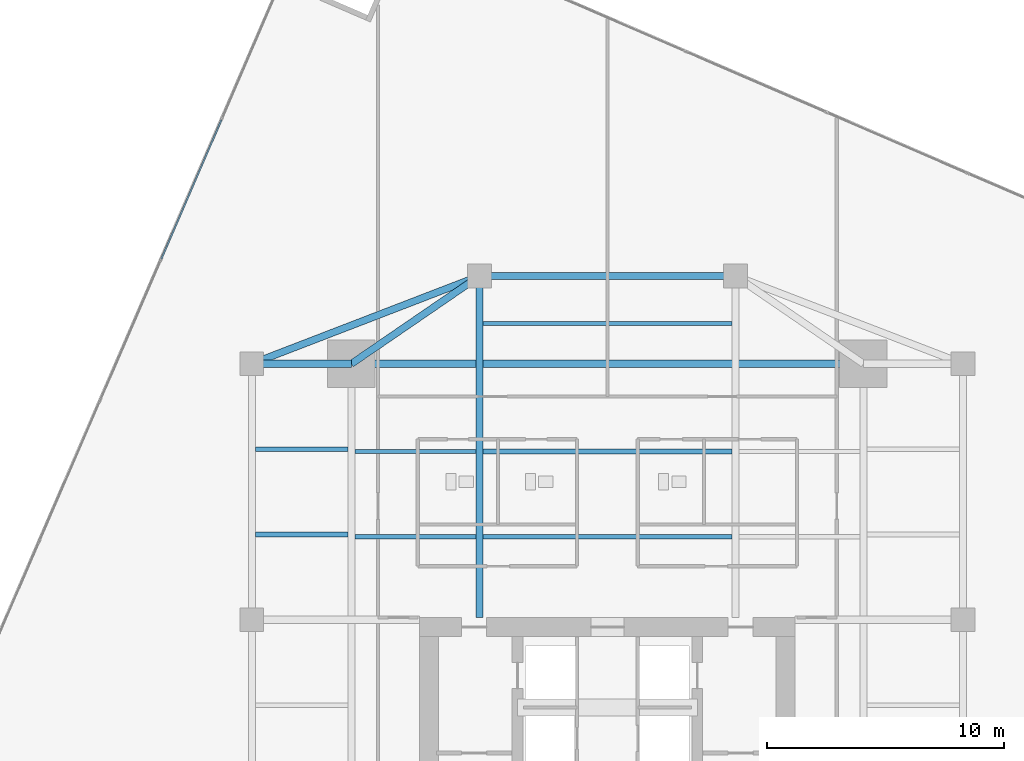
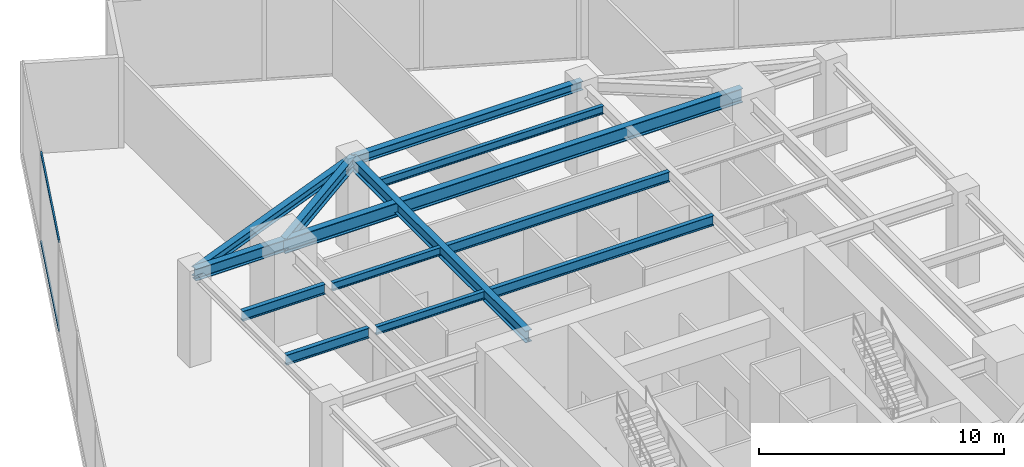
# One storey, part 13 of 24: 13 beams, 2 members, 1 element without a shape of its own.
"""IFC4 building model written with IfcOpenShell, lengths in metres."""

from ifc_helpers import new_model, si_unit, direction, frame, origin, origin_2d, place, context, subcontext, project, spatial, hollow_rectangle, i_section, extrude, source, transform, mapped, material, material_profile, profile_set, type_object, type_shapes, element, aggregate, save


model = new_model("IFC4")

# Units and contexts
model_context = context("Model", 3, precision=1e-05, world=origin(), true_north=direction((0.0, 1.0)))
body_context = subcontext(model_context, "Body", "Model", "MODEL_VIEW")
ifc_project = project(units=[si_unit("LENGTHUNIT", "METRE"), si_unit("AREAUNIT", "SQUARE_METRE"), si_unit("VOLUMEUNIT", "CUBIC_METRE"), si_unit("PLANEANGLEUNIT", "RADIAN"), si_unit("MASSUNIT", "GRAM", prefix="KILO")], contexts=[model_context])

# Site, building, storey
site_placement = place(None, origin())
site = spatial("IfcSite", under=ifc_project, at=site_placement, CompositionType="ELEMENT")
building_placement = place(site_placement, origin())
building = spatial("IfcBuilding", under=site, at=building_placement, Name="Krantzveldt Concourse Tower", CompositionType="ELEMENT")
storey_placement = place(building_placement, frame((0.0, 0.0, 141.39990234375)))
storey = spatial("IfcBuildingStorey", under=building, at=storey_placement, Name="L34", CompositionType="ELEMENT", Elevation=141.39990234375)

# Beams
ifc_material_1 = material(Name="Steel S355J2", Category="steel")
ifc_material_profile_1 = material_profile(ifc_material_1, i_section(OverallWidth=0.300048828125, OverallDepth=0.699951171875, WebThickness=0.01708984375, FlangeThickness=0.031982421875, FilletRadius=0.027099609375, at=origin_2d()), Name="Steel S355J2", Category="steel")
ifc_profile_set_1 = profile_set([ifc_material_profile_1], Name="Steel S355J2 - HEB 700")
beam_type_1 = type_object("IfcBeamType", Name="BM-B-HEB700", PredefinedType="BEAM", material=ifc_profile_set_1)
shared_shape_1 = source(origin(), body_context, "Body", "SweptSolid", [
    extrude(i_section(OverallWidth=0.300048828125, OverallDepth=0.699951171875, WebThickness=0.01708984375, FlangeThickness=0.031982421875, FilletRadius=0.027099609375, at=origin_2d()), origin(), (0.0, 0.0, 1.0), 21.60009765625),
])
type_shapes(beam_type_1, [shared_shape_1])
beam_1_placement = place(storey_placement, frame((25.199951171875, 37.5, 4.170166015625), z_axis=(1.0, 0.0, 0.0), x_axis=(0.0, 1.0, 0.0)))
element("IfcBeam", 1, at=beam_1_placement, inside=storey, type_object=beam_type_1, Name="L34 Tower Girder BG-MN", PredefinedType="BEAM", context=body_context, shape_type="MappedRepresentation", body=[
    mapped(shared_shape_1, transform((0.0, 0.0, 0.0), x_axis=(1.0, 0.0, 0.0), y_axis=(0.0, 1.0, 0.0), z_axis=(0.0, 0.0, 1.0), scale=1.0)),
])
ifc_material_2 = material(Name="Steel S355JR", Category="steel")
ifc_material_profile_2 = material_profile(ifc_material_2, i_section(OverallWidth=0.300048828125, OverallDepth=0.590087890625, WebThickness=0.012939453125, FlangeThickness=0.02490234375, FilletRadius=0.027099609375, at=origin_2d()), Name="Steel S355JR", Category="steel")
ifc_profile_set_2 = profile_set([ifc_material_profile_2], Name="Steel S355JR - HEA 600")
beam_type_2 = type_object("IfcBeamType", Name="BM-B-HEA600", PredefinedType="BEAM", material=ifc_profile_set_2)
shared_shape_2 = source(origin(), body_context, "Body", "SweptSolid", [
    extrude(i_section(OverallWidth=0.300048828125, OverallDepth=0.590087890625, WebThickness=0.012939453125, FlangeThickness=0.02490234375, FilletRadius=0.027099609375, at=origin_2d()), origin(), (0.0, 0.0, 1.0), 14.39990234375),
])
beam_2_placement = place(storey_placement, frame((30.60009765625, 26.800048828125, 4.22509765625), z_axis=(0.0, 1.0, 0.0), x_axis=(-1.0, 0.0, 0.0)))
element("IfcBeam", 2, at=beam_2_placement, inside=storey, type_object=beam_type_2, Name="L34 Tower Girder BG-CNW", PredefinedType="BEAM", context=body_context, shape_type="MappedRepresentation", body=[
    mapped(shared_shape_2, transform((0.0, 0.0, 0.0), x_axis=(1.0, 0.0, 0.0), y_axis=(0.0, 1.0, 0.0), z_axis=(0.0, 0.0, 1.0), scale=1.0)),
])
ifc_material_profile_3 = material_profile(ifc_material_2, i_section(OverallWidth=0.300048828125, OverallDepth=0.43994140625, WebThickness=0.011474609375, FlangeThickness=0.02099609375, FilletRadius=0.027099609375, at=origin_2d()), Name="Steel S355JR", Category="steel")
ifc_profile_set_3 = profile_set([ifc_material_profile_3], Name="Steel S355JR - HEA 450")
beam_type_3 = type_object("IfcBeamType", Name="BM-SP-HEA450", PredefinedType="SPANDREL", material=ifc_profile_set_3)
shared_shape_3 = source(origin(), body_context, "Body", "SweptSolid", [
    extrude(i_section(OverallWidth=0.300048828125, OverallDepth=0.43994140625, WebThickness=0.011474609375, FlangeThickness=0.02099609375, FilletRadius=0.027099609375, at=origin_2d()), origin(), (0.0, 0.0, 1.0), 10.288330078125),
])
beam_3_placement = place(storey_placement, frame((21.0, 37.5, 4.300048828125), z_axis=(0.933097690408, 0.359622997257, 0.0), x_axis=(-0.359622997257, 0.933097690408, 0.0)))
element("IfcBeam", 3, at=beam_3_placement, inside=storey, type_object=beam_type_3, Name="L34 Tower Girder SP-R03", PredefinedType="SPANDREL", context=body_context, shape_type="MappedRepresentation", body=[
    mapped(shared_shape_3, transform((0.0, 0.0, 0.0), x_axis=(1.0, 0.0, 0.0), y_axis=(0.0, 1.0, 0.0), z_axis=(0.0, 0.0, 1.0), scale=1.0)),
])
shared_shape_4 = source(origin(), body_context, "Body", "SweptSolid", [
    extrude(i_section(OverallWidth=0.300048828125, OverallDepth=0.43994140625, WebThickness=0.011474609375, FlangeThickness=0.02099609375, FilletRadius=0.027099609375, at=origin_2d()), origin(), (0.0, 0.0, 1.0), 10.7998046875),
])
type_shapes(beam_type_3, [shared_shape_3, shared_shape_4])
beam_4_placement = place(storey_placement, frame((30.60009765625, 41.199951171875, 4.300048828125), z_axis=(1.0, 0.0, 0.0), x_axis=(0.0, 1.0, 0.0)))
element("IfcBeam", 4, at=beam_4_placement, inside=storey, type_object=beam_type_3, Name="L34 Tower Girder SP-R04", PredefinedType="SPANDREL", context=body_context, shape_type="MappedRepresentation", body=[
    mapped(shared_shape_4, transform((0.0, 0.0, 0.0), x_axis=(1.0, 0.0, 0.0), y_axis=(0.0, 1.0, 0.0), z_axis=(0.0, 0.0, 1.0), scale=1.0)),
])
shared_shape_5 = source(origin(), body_context, "Body", "SweptSolid", [
    extrude(i_section(OverallWidth=0.300048828125, OverallDepth=0.590087890625, WebThickness=0.012939453125, FlangeThickness=0.02490234375, FilletRadius=0.027099609375, at=origin_2d()), origin(), (0.0, 0.0, 1.0), 4.199951171875),
])
beam_5_placement = place(storey_placement, frame((21.0, 37.5, 4.22509765625), z_axis=(1.0, 0.0, 0.0), x_axis=(0.0, 1.0, 0.0)))
element("IfcBeam", 5, at=beam_5_placement, inside=storey, type_object=beam_type_2, Name="L34 Tower Girder BR-RL3", PredefinedType="BEAM", context=body_context, shape_type="MappedRepresentation", body=[
    mapped(shared_shape_5, transform((0.0, 0.0, 0.0), x_axis=(1.0, 0.0, 0.0), y_axis=(0.0, 1.0, 0.0), z_axis=(0.0, 0.0, 1.0), scale=1.0)),
])
shared_shape_6 = source(origin(), body_context, "Body", "SweptSolid", [
    extrude(i_section(OverallWidth=0.300048828125, OverallDepth=0.590087890625, WebThickness=0.012939453125, FlangeThickness=0.02490234375, FilletRadius=0.027099609375, at=origin_2d()), origin(), (0.0, 0.0, 1.0), 6.546142578125),
])
type_shapes(beam_type_2, [shared_shape_2, shared_shape_5, shared_shape_6])
beam_6_placement = place(storey_placement, frame((25.199951171875, 37.5, 4.22509765625), z_axis=(0.824942999484, 0.565215930068, 0.0), x_axis=(-0.565215930068, 0.824942999484, 0.0)))
element("IfcBeam", 6, at=beam_6_placement, inside=storey, type_object=beam_type_2, Name="L34 Tower Girder BR-RL4", PredefinedType="BEAM", context=body_context, shape_type="MappedRepresentation", body=[
    mapped(shared_shape_6, transform((0.0, 0.0, 0.0), x_axis=(1.0, 0.0, 0.0), y_axis=(0.0, 1.0, 0.0), z_axis=(0.0, 0.0, 1.0), scale=1.0)),
])
ifc_material_profile_4 = material_profile(ifc_material_2, i_section(OverallWidth=0.199951171875, OverallDepth=0.5, WebThickness=0.01025390625, FlangeThickness=0.01611328125, FilletRadius=0.02099609375, at=origin_2d()), Name="Steel S355JR", Category="steel")
ifc_profile_set_4 = profile_set([ifc_material_profile_4], Name="Steel S355JR - IPE 500")
beam_type_4 = type_object("IfcBeamType", Name="BM-J-IPE500", PredefinedType="JOIST", material=ifc_profile_set_4)
shared_shape_7 = source(origin(), body_context, "Body", "SweptSolid", [
    extrude(i_section(OverallWidth=0.199951171875, OverallDepth=0.5, WebThickness=0.01025390625, FlangeThickness=0.01611328125, FilletRadius=0.02099609375, at=origin_2d()), origin(), (0.0, 0.0, 1.0), 10.5),
])
for number, where, z_axis, x_axis, name in (
    (7, (30.75, 30.199951171875, 4.27001953125), (1.0, 0.0, 0.0), (0.0, 1.0, 0.0), "L34 Secondary Floor Joist JN-C1"),
    (8, (30.75, 33.800048828125, 4.27001953125), (1.0, 0.0, 0.0), (0.0, 1.0, 0.0), "L34 Secondary Floor Joist JN-C2"),
):
    element("IfcBeam", number, at=place(storey_placement, frame(where, z_axis=z_axis, x_axis=x_axis)), inside=storey, type_object=beam_type_4, Name=name, PredefinedType="JOIST", context=body_context, shape_type="MappedRepresentation", body=[
        mapped(shared_shape_7, transform((0.0, 0.0, 0.0), x_axis=(1.0, 0.0, 0.0), y_axis=(0.0, 1.0, 0.0), z_axis=(0.0, 0.0, 1.0), scale=1.0)),
    ])
ifc_material_profile_5 = material_profile(ifc_material_2, i_section(OverallWidth=0.179931640625, OverallDepth=0.39990234375, WebThickness=0.008544921875, FlangeThickness=0.013427734375, FilletRadius=0.02099609375, at=origin_2d()), Name="Steel S355JR", Category="steel")
ifc_profile_set_5 = profile_set([ifc_material_profile_5], Name="Steel S355JR - IPE 400")
beam_type_5 = type_object("IfcBeamType", Name="BM-J-IPE400", PredefinedType="JOIST", material=ifc_profile_set_5)
shared_shape_8 = source(origin(), body_context, "Body", "SweptSolid", [
    extrude(i_section(OverallWidth=0.179931640625, OverallDepth=0.39990234375, WebThickness=0.008544921875, FlangeThickness=0.013427734375, FilletRadius=0.02099609375, at=origin_2d()), origin(), (0.0, 0.0, 1.0), 10.5),
])
beam_7_placement = place(storey_placement, frame((30.75, 39.199951171875, 4.320068359375), z_axis=(1.0, 0.0, 0.0), x_axis=(0.0, 1.0, 0.0)))
element("IfcBeam", 9, at=beam_7_placement, inside=storey, type_object=beam_type_5, Name="L34 Secondary Floor Joist JN-C3", PredefinedType="JOIST", context=body_context, shape_type="MappedRepresentation", body=[
    mapped(shared_shape_8, transform((0.0, 0.0, 0.0), x_axis=(1.0, 0.0, 0.0), y_axis=(0.0, 1.0, 0.0), z_axis=(0.0, 0.0, 1.0), scale=1.0)),
])
shared_shape_9 = source(origin(), body_context, "Body", "SweptSolid", [
    extrude(i_section(OverallWidth=0.179931640625, OverallDepth=0.39990234375, WebThickness=0.008544921875, FlangeThickness=0.013427734375, FilletRadius=0.02099609375, at=origin_2d()), origin(), (0.0, 0.0, 1.0), 5.099853515625),
])
type_shapes(beam_type_5, [shared_shape_8, shared_shape_9])
for number, where, z_axis, x_axis, name in (
    (10, (25.35009765625, 30.199951171875, 4.320068359375), (1.0, 0.0, 0.0), (0.0, 1.0, 0.0), "L34 Secondary Floor Joist JN-W1"),
    (11, (25.35009765625, 33.800048828125, 4.320068359375), (1.0, 0.0, 0.0), (0.0, 1.0, 0.0), "L34 Secondary Floor Joist JN-W2"),
):
    element("IfcBeam", number, at=place(storey_placement, frame(where, z_axis=z_axis, x_axis=x_axis)), inside=storey, type_object=beam_type_5, Name=name, PredefinedType="JOIST", context=body_context, shape_type="MappedRepresentation", body=[
        mapped(shared_shape_9, transform((0.0, 0.0, 0.0), x_axis=(1.0, 0.0, 0.0), y_axis=(0.0, 1.0, 0.0), z_axis=(0.0, 0.0, 1.0), scale=1.0)),
    ])
shared_shape_10 = source(origin(), body_context, "Body", "SweptSolid", [
    extrude(i_section(OverallWidth=0.199951171875, OverallDepth=0.5, WebThickness=0.01025390625, FlangeThickness=0.01611328125, FilletRadius=0.02099609375, at=origin_2d()), origin(), (0.0, 0.0, 1.0), 3.900146484375),
])
type_shapes(beam_type_4, [shared_shape_7, shared_shape_10])
for number, where, z_axis, x_axis, name in (
    (12, (21.14990234375, 30.300048828125, 4.27001953125), (1.0, 0.0, 0.0), (0.0, 1.0, 0.0), "L34 Secondary Floor Joist JW-3"),
    (13, (21.14990234375, 33.89990234375, 4.27001953125), (1.0, 0.0, 0.0), (0.0, 1.0, 0.0), "L34 Secondary Floor Joist JW-4"),
):
    element("IfcBeam", number, at=place(storey_placement, frame(where, z_axis=z_axis, x_axis=x_axis)), inside=storey, type_object=beam_type_4, Name=name, PredefinedType="JOIST", context=body_context, shape_type="MappedRepresentation", body=[
        mapped(shared_shape_10, transform((0.0, 0.0, 0.0), x_axis=(1.0, 0.0, 0.0), y_axis=(0.0, 1.0, 0.0), z_axis=(0.0, 0.0, 1.0), scale=1.0)),
    ])

# Curtain wall, members
ifc_material_3 = material(Name="Anodised aluminium 6063-T6", Category="aluminium")
curtain_wall_type = type_object("IfcCurtainWallType", Name="CW5", PredefinedType="USERDEFINED", material=ifc_material_3)
curtain_wall_placement = place(storey_placement, origin())
curtain_wall = element("IfcCurtainWall", 14, at=curtain_wall_placement, inside=storey, type_object=curtain_wall_type, Name="CW-L34-F01", ObjectType="UNITISED CURTAIN WALL", PredefinedType="USERDEFINED")
ifc_material_profile_6 = material_profile(ifc_material_3, hollow_rectangle(XDim=0.070068359375, YDim=0.139892578125, WallThickness=0.0048828125, at=origin_2d()), Name="Anodised aluminium 6063-T6", Category="aluminium")
ifc_profile_set_6 = profile_set([ifc_material_profile_6], Name="Anodised aluminium 6063-T6 - ALU-TRAN 140x70x5")
member_type = type_object("IfcMemberType", Name="CW-TRN-150", PredefinedType="USERDEFINED", material=ifc_profile_set_6)
shared_shape_11 = source(origin(), body_context, "Body", "SweptSolid", [
    extrude(hollow_rectangle(XDim=0.070068359375, YDim=0.139892578125, WallThickness=0.0048828125, at=origin_2d()), origin(), (0.0, 0.0, 1.0), 6.396484375),
])
type_shapes(member_type, [shared_shape_11])
member_1_placement = place(storey_placement, frame((19.720458984375, 47.787841796875, 0.03515625), z_axis=(-0.396750371663, -0.91792654531, 0.0), x_axis=(0.91792654531, -0.396750371663, 0.0)))
member_1 = element("IfcMember", 15, at=member_1_placement, type_object=member_type, Name="CW-SKY transom 2.1", ObjectType="TRANSOM", PredefinedType="USERDEFINED", context=body_context, shape_type="MappedRepresentation", body=[
    mapped(shared_shape_11, transform((0.0, 0.0, 0.0), x_axis=(1.0, 0.0, 0.0), y_axis=(0.0, 1.0, 0.0), z_axis=(0.0, 0.0, 1.0), scale=1.0)),
])
member_2_placement = place(storey_placement, frame((19.720458984375, 47.787841796875, 4.485107421875), z_axis=(-0.396750371663, -0.91792654531, 0.0), x_axis=(0.91792654531, -0.396750371663, 0.0)))
member_2 = element("IfcMember", 16, at=member_2_placement, type_object=member_type, Name="CW-SKY transom 2.2", ObjectType="TRANSOM", PredefinedType="USERDEFINED", context=body_context, shape_type="MappedRepresentation", body=[
    mapped(shared_shape_11, transform((0.0, 0.0, 0.0), x_axis=(1.0, 0.0, 0.0), y_axis=(0.0, 1.0, 0.0), z_axis=(0.0, 0.0, 1.0), scale=1.0)),
])
aggregate(curtain_wall, [member_1, member_2])

save(model, "model.ifc")
